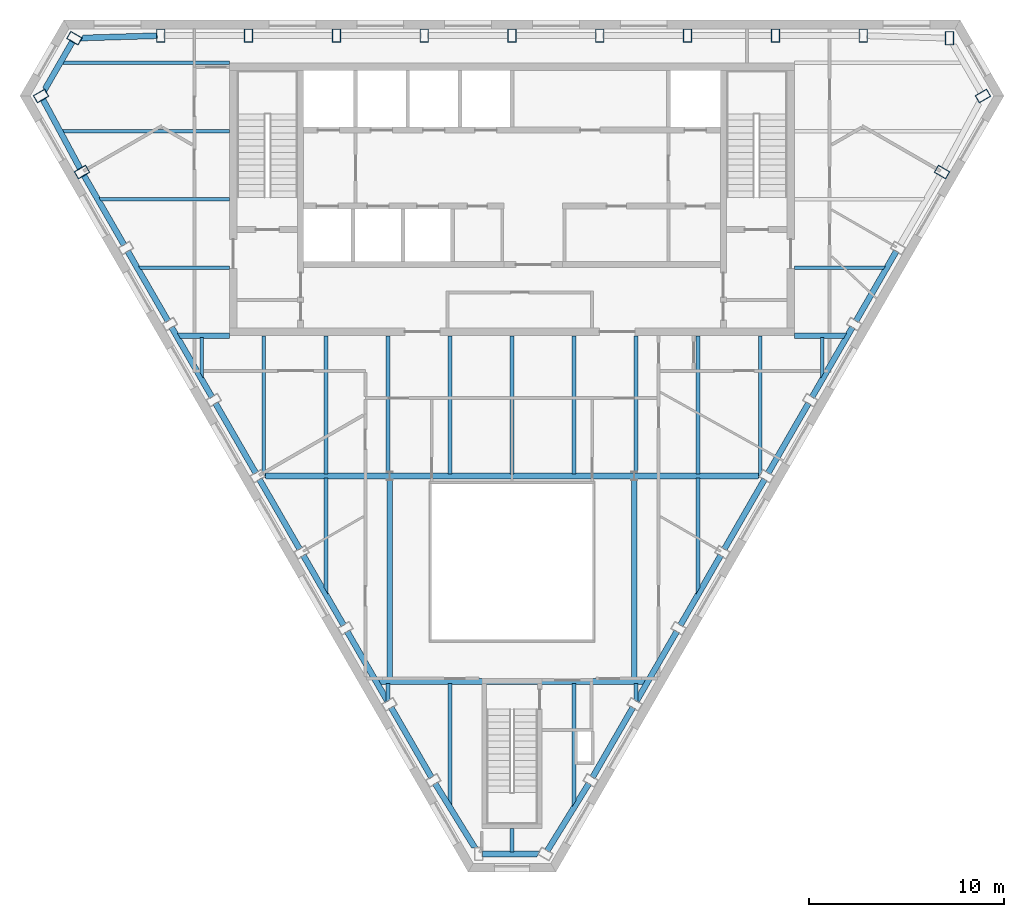
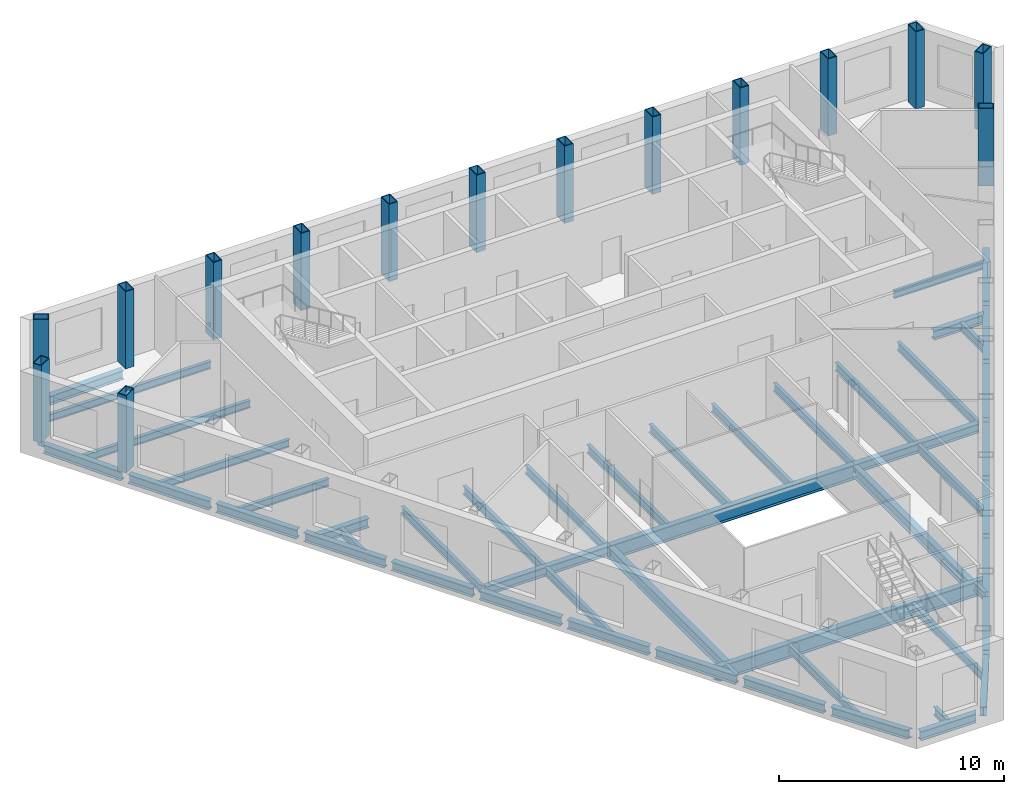
# One storey, part 2 of 11: 52 beams, 15 columns.
"""IFC4 building model written with IfcOpenShell, lengths in metres."""

import ifcopenshell
import ifcopenshell.guid

model = None  # the IFC model being written
_history = None  # IfcOwnerHistory: only IFC2X3 demands one
_inside = {}  # id of a spatial element -> (the spatial element, [elements in it])
_under = {}  # id of a project, library or spatial element -> (it, [spatial elements below it])
_declared = {}  # id of a project -> (the project, [libraries it declares])
_typed = {}  # id of a type object -> (the type object, [elements of that type])
_made_of = {}  # id of a material, layer set ... -> (it, [elements and type objects made of it])


def new_model(schema):
    """Start an empty IFC model of exactly this schema.

    Asked for "IFC4X3", IfcOpenShell would pick the latest addendum, in which some entities
    have other attributes; the version numbers below select the first issue.
    IFC2X3 requires an IfcOwnerHistory on every rooted entity: one is made here for all.
    """
    global model, _history
    if schema == "IFC4X3":
        model = ifcopenshell.file(schema_version=(4, 3, 0, 0))
    else:
        model = ifcopenshell.file(schema=schema)
    _inside.clear()
    _under.clear()
    _declared.clear()
    _typed.clear()
    _made_of.clear()
    _history = None
    if model.schema == "IFC2X3":
        org = make("IfcOrganization", Name="unknown")
        user = make(
            "IfcPersonAndOrganization",
            ThePerson=make("IfcPerson", FamilyName="unknown"),
            TheOrganization=org,
        )
        app = make(
            "IfcApplication",
            ApplicationDeveloper=org,
            Version="unknown",
            ApplicationFullName="unknown",
            ApplicationIdentifier="unknown",
        )
        _history = make(
            "IfcOwnerHistory",
            OwningUser=user,
            OwningApplication=app,
            ChangeAction="ADDED",
            CreationDate=0,
        )
    return model


def make(cls, **values):
    """One entity of the class cls with the attributes given. An attribute that is None is left unset."""
    return model.create_entity(
        cls, **{name: value for name, value in values.items() if value is not None}
    )


def rooted(cls, **values):
    """An entity with a GlobalId (a new one), such as an element, a storey or a relation."""
    return make(cls, GlobalId=ifcopenshell.guid.new(), OwnerHistory=_history, **values)


def si_unit(unit_type, name, prefix=None):
    """IfcSIUnit, for example si_unit("LENGTHUNIT", "METRE", prefix="MILLI")."""
    return make("IfcSIUnit", UnitType=unit_type, Prefix=prefix, Name=name)


def assignment(units):
    """IfcUnitAssignment: the units of a project."""
    return None if units is None else make("IfcUnitAssignment", Units=units)


def point(xyz):
    """IfcCartesianPoint."""
    return None if xyz is None else make("IfcCartesianPoint", Coordinates=xyz)


def direction(xyz):
    """IfcDirection."""
    return None if xyz is None else make("IfcDirection", DirectionRatios=xyz)


def frame(location, z_axis=None, x_axis=None):
    """IfcAxis2Placement3D, a coordinate frame: its origin and axes. An axis left out is left unset."""
    return make(
        "IfcAxis2Placement3D",
        Location=point(location),
        Axis=direction(z_axis),
        RefDirection=direction(x_axis),
    )


def frame_2d(location, x_axis=None):
    """IfcAxis2Placement2D, a coordinate frame in the plane: its origin and x axis."""
    return make(
        "IfcAxis2Placement2D", Location=point(location), RefDirection=direction(x_axis)
    )


def origin():
    """The frame at (0, 0, 0) with its axes left unset."""
    return frame((0.0, 0.0, 0.0))


def origin_2d():
    """The frame at (0, 0) in the plane with its x axis left unset."""
    return frame_2d((0.0, 0.0))


def place(relative_to, where):
    """IfcLocalPlacement: puts the frame where relative to a parent placement (None: the world)."""
    return make(
        "IfcLocalPlacement", PlacementRelTo=relative_to, RelativePlacement=where
    )


def context(
    kind, dimensions, precision=None, world=None, true_north=None, identifier=None
):
    """IfcGeometricRepresentationContext, for example the 3D "Model" context."""
    return make(
        "IfcGeometricRepresentationContext",
        ContextIdentifier=identifier,
        ContextType=kind,
        CoordinateSpaceDimension=dimensions,
        Precision=precision,
        WorldCoordinateSystem=world,
        TrueNorth=true_north,
    )


def subcontext(parent, identifier, kind, view, scale=None):
    """IfcGeometricRepresentationSubContext, for example "Body" below "Model"."""
    return make(
        "IfcGeometricRepresentationSubContext",
        ContextIdentifier=identifier,
        ContextType=kind,
        ParentContext=parent,
        TargetScale=scale,
        TargetView=view,
    )


def project(units=None, contexts=None):
    """IfcProject with its units and contexts."""
    return rooted(
        "IfcProject",
        Name="project",
        RepresentationContexts=contexts,
        UnitsInContext=assignment(units),
    )


def spatial(cls, under=None, at=None, **own):
    """A site, building, storey or space (cls), placed at a placement, below another one or the project."""
    s = rooted(cls, ObjectPlacement=at, **own)
    if under is not None:
        _under.setdefault(under.id(), (under, []))[1].append(s)
    return s


def profile(cls, at=None, kind="AREA", **sizes):
    """A parametric profile (cls). Its sizes go by their IFC names, for example OverallWidth=200.0."""
    return make(cls, ProfileType=kind, Position=at, **sizes)


def hollow_rectangle(**sizes):
    """IfcRectangleHollowProfileDef."""
    return profile("IfcRectangleHollowProfileDef", **sizes)


def i_section(**sizes):
    """IfcIShapeProfileDef."""
    return profile("IfcIShapeProfileDef", **sizes)


def extrude(swept, where, along, depth):
    """IfcExtrudedAreaSolid: the profile swept, set in the frame where, extruded along a direction by depth."""
    return make(
        "IfcExtrudedAreaSolid",
        SweptArea=swept,
        Position=where,
        ExtrudedDirection=direction(along),
        Depth=depth,
    )


def clip(a, b, op="DIFFERENCE"):
    """IfcBooleanClippingResult: the solid a cut by the half space b."""
    return make(
        "IfcBooleanClippingResult", Operator=op, FirstOperand=a, SecondOperand=b
    )


def halfspace(plane, agree):
    """IfcHalfSpaceSolid: all space on one side of the plane z = 0 of the frame plane."""
    return make(
        "IfcHalfSpaceSolid",
        BaseSurface=make("IfcPlane", Position=plane),
        AgreementFlag=agree,
    )


def shape(context_of_items, identifier, shape_type, items):
    """IfcShapeRepresentation: the items that make up one representation, for example the "Body"."""
    return make(
        "IfcShapeRepresentation",
        ContextOfItems=context_of_items,
        RepresentationIdentifier=identifier,
        RepresentationType=shape_type,
        Items=items,
    )


def material(Name=None, Category=None):
    """IfcMaterial."""
    return make("IfcMaterial", Name=Name, Category=Category)


def material_profile(
    of_material, cross_section, Name=None, Category=None, Priority=None
):
    """IfcMaterialProfile: a cross section and its material."""
    return make(
        "IfcMaterialProfile",
        Name=Name,
        Material=of_material,
        Profile=cross_section,
        Priority=Priority,
        Category=Category,
    )


def profile_set(profiles, Name=None, composite=None):
    """IfcMaterialProfileSet."""
    return make(
        "IfcMaterialProfileSet",
        Name=Name,
        MaterialProfiles=profiles,
        CompositeProfile=composite,
    )


def made_of(thing, what):
    """Note that an element or type object is made of a material, layer set ...; save() writes the relation."""
    if what is not None:
        _made_of.setdefault(what.id(), (what, []))[1].append(thing)
    return thing


def type_object(cls, material=None, **own):
    """A type object (cls), such as IfcWallType, which elements share."""
    return made_of(rooted(cls, **own), material)


def element(
    cls,
    number,
    at=None,
    inside=None,
    cuts=None,
    type_object=None,
    material=None,
    context=None,
    identifier="Body",
    shape_type=None,
    held_by="IfcProductDefinitionShape",
    body=None,
    shapes=None,
    **own,
):
    """One element of the class cls, such as IfcWall. Its Tag is "e" and its number.

    at: its placement. inside: the storey or other place that contains it. cuts: it is an
    opening in that element (IfcRelVoidsElement). A single representation is given by context,
    identifier, shape_type and body (its items); several are given by shapes. held_by: the class
    of the entity that holds the representations. save() writes the other relations.
    """
    e = rooted(cls, Tag="e%d" % number, ObjectPlacement=at, **own)
    if body is not None:
        shapes = [shape(context, identifier, shape_type, body)]
    if shapes is not None:
        e.Representation = make(held_by, Representations=shapes)
    if inside is not None:
        _inside.setdefault(inside.id(), (inside, []))[1].append(e)
    if cuts is not None:
        rooted(
            "IfcRelVoidsElement", RelatingBuildingElement=cuts, RelatedOpeningElement=e
        )
    if type_object is not None:
        _typed.setdefault(type_object.id(), (type_object, []))[1].append(e)
    return made_of(e, material)


def aggregate(whole, parts):
    """IfcRelAggregates: a whole, such as a stair, and the parts it consists of."""
    return rooted("IfcRelAggregates", RelatingObject=whole, RelatedObjects=parts)


def save(model, path):
    """Write the relations noted so far, then the file.

    IfcRelAggregates (storeys below a building ...), IfcRelContainedInSpatialStructure (elements
    in a storey), IfcRelDefinesByType, IfcRelAssociatesMaterial and IfcRelDeclares: one each for
    every whole, place, type object, material and project.
    """
    for whole, parts in _under.values():
        aggregate(whole, parts)
    for where, things in _inside.values():
        rooted(
            "IfcRelContainedInSpatialStructure",
            RelatedElements=things,
            RelatingStructure=where,
        )
    for kind, things in _typed.values():
        rooted("IfcRelDefinesByType", RelatedObjects=things, RelatingType=kind)
    for what, things in _made_of.values():
        rooted("IfcRelAssociatesMaterial", RelatedObjects=things, RelatingMaterial=what)
    for by, libraries in _declared.values():
        rooted("IfcRelDeclares", RelatingContext=by, RelatedDefinitions=libraries)
    model.write(path)


model = new_model("IFC4")

# Units and contexts
model_context = context("Model", 3, precision=1e-05, world=origin(), true_north=direction((0.0, 1.0)))
body_context = subcontext(model_context, "Body", "Model", "MODEL_VIEW")
ifc_project = project(units=[si_unit("LENGTHUNIT", "METRE"), si_unit("AREAUNIT", "SQUARE_METRE"), si_unit("VOLUMEUNIT", "CUBIC_METRE"), si_unit("PLANEANGLEUNIT", "RADIAN"), si_unit("MASSUNIT", "GRAM", prefix="KILO")], contexts=[model_context])

# Site, building, storey
site_placement = place(None, origin())
site = spatial("IfcSite", under=ifc_project, at=site_placement, CompositionType="ELEMENT")
building_placement = place(site_placement, origin())
building = spatial("IfcBuilding", under=site, at=building_placement, Name="Njiva Tower", CompositionType="ELEMENT")
storey_placement = place(building_placement, frame((0.0, 0.0, 316.8)))
storey = spatial("IfcBuildingStorey", under=building, at=storey_placement, Name="L72", CompositionType="ELEMENT", Elevation=316.8)

# Columns
ifc_material = material(Name="Steel S355 J2", Category="steel")
ifc_material_profile_1 = material_profile(ifc_material, hollow_rectangle(XDim=0.45, YDim=0.7, WallThickness=0.04, at=origin_2d()), Name="BOX 700x450x40")
ifc_profile_set_1 = profile_set([ifc_material_profile_1], Name="Steel S355 J2")
column_type = type_object("IfcColumnType", Name="C15 Perimeter tube column BOX 700x450x40", PredefinedType="COLUMN", material=ifc_profile_set_1)
for number, where, z_axis, x_axis, name in (
    (1, (22.456, 19.267, 0.0), (0.0, 0.0, 1.0), (-1.0, 0.0, 0.0), "Perimeter tube column S24-C01"),
    (2, (18.026, 19.4, 0.0), (0.0, 0.0, 1.0), (-1.0, 0.0, 0.0), "Perimeter tube column S24-C02"),
    (3, (13.52, 19.4, 0.0), (0.0, 0.0, 1.0), (-1.0, 0.0, 0.0), "Perimeter tube column S24-C03"),
    (4, (9.013, 19.4, 0.0), (0.0, 0.0, 1.0), (-1.0, 0.0, 0.0), "Perimeter tube column S24-C04"),
    (5, (4.507, 19.4, 0.0), (0.0, 0.0, 1.0), (-1.0, 0.0, 0.0), "Perimeter tube column S24-C05"),
    (6, (0.0, 19.4, 0.0), (0.0, 0.0, 1.0), (-1.0, 0.0, 0.0), "Perimeter tube column S24-C06"),
    (7, (-4.507, 19.4, 0.0), (0.0, 0.0, 1.0), (-1.0, 0.0, 0.0), "Perimeter tube column S24-C07"),
    (8, (-9.013, 19.4, 0.0), (0.0, 0.0, 1.0), (-1.0, 0.0, 0.0), "Perimeter tube column S24-C08"),
    (9, (-13.52, 19.4, 0.0), (0.0, 0.0, 1.0), (-1.0, 0.0, 0.0), "Perimeter tube column S24-C09"),
    (10, (-18.026, 19.4, 0.0), (0.0, 0.0, 1.0), (-1.0, 0.0, 0.0), "Perimeter tube column S24-C10"),
    (11, (-22.456, 19.267, 0.0), (0.0, 0.0, 1.0), (-0.5, -0.866025403784, 0.0), "Perimeter tube column S24-C11"),
    (12, (-24.168, 16.303, 0.0), (0.0, 0.0, 1.0), (0.5, -0.866025403784, 0.0), "Perimeter tube column S24-C12"),
    (13, (-22.068, 12.4, 0.0), (0.0, 0.0, 1.0), (0.5, -0.866025403784, 0.0), "Perimeter tube column S24-C13"),
    (14, (22.068, 12.4, 0.0), (0.0, 0.0, 1.0), (0.5, 0.866025403784, 0.0), "Perimeter tube column S24-C32"),
    (15, (24.168, 16.303, 0.0), (0.0, 0.0, 1.0), (-0.5, 0.866025403784, 0.0), "Perimeter tube column S24-C33"),
):
    element("IfcColumn", number, at=place(storey_placement, frame(where, z_axis=z_axis, x_axis=x_axis)), inside=storey, type_object=column_type, Name=name, PredefinedType="COLUMN", context=body_context, shape_type="SweptSolid", body=[
        extrude(hollow_rectangle(XDim=0.45, YDim=0.7, WallThickness=0.04, at=origin_2d()), origin(), (0.0, 0.0, 1.0), 4.2),
    ])

# Beams
ifc_material_profile_2 = material_profile(ifc_material, i_section(OverallWidth=0.3, OverallDepth=0.59, WebThickness=0.013, FlangeThickness=0.025, at=origin_2d()), Name="HEA 600")
ifc_profile_set_2 = profile_set([ifc_material_profile_2], Name="Steel S355 J2")
beam_type_1 = type_object("IfcBeamType", Name="B30 Long-span atrium trimmer beam HEA 600", PredefinedType="BEAM", material=ifc_profile_set_2)
for number, where, z_axis, x_axis, name in (
    (16, (6.27, -13.65, -0.495), (0.0, 1.0, 0.0), (-1.0, 0.0, 0.0), "Long-span atrium trimmer beam S24-B063"),
    (17, (-6.27, -3.375, -0.495), (0.0, -1.0, 0.0), (1.0, 0.0, 0.0), "Long-span atrium trimmer beam S24-B060"),
):
    element("IfcBeam", number, at=place(storey_placement, frame(where, z_axis=z_axis, x_axis=x_axis)), inside=storey, type_object=beam_type_1, Name=name, PredefinedType="BEAM", context=body_context, shape_type="SweptSolid", body=[
        extrude(i_section(OverallWidth=0.3, OverallDepth=0.59, WebThickness=0.013, FlangeThickness=0.025, at=origin_2d()), origin(), (0.0, 0.0, 1.0), 10.275),
    ])
ifc_material_profile_3 = material_profile(ifc_material, i_section(OverallWidth=0.3, OverallDepth=0.49, WebThickness=0.012, FlangeThickness=0.023, at=origin_2d()), Name="HEA 500")
ifc_profile_set_3 = profile_set([ifc_material_profile_3], Name="Steel S355 J2")
beam_type_2 = type_object("IfcBeamType", Name="B48 Short-span spandrel beam HEA 500", PredefinedType="SPANDREL", material=ifc_profile_set_3)
beam_1_placement = place(storey_placement, frame((-18.205, 19.395, -0.445), z_axis=(-0.999542354349, -0.030250320034, 0.0), x_axis=(0.030250320034, -0.999542354349, 0.0)))
element("IfcBeam", 18, at=beam_1_placement, inside=storey, type_object=beam_type_2, Name="Short-span spandrel beam S24-B069", PredefinedType="SPANDREL", context=body_context, shape_type="Clipping", body=[
    clip(extrude(i_section(OverallWidth=0.3, OverallDepth=0.49, WebThickness=0.012, FlangeThickness=0.023, at=origin_2d()), origin(), (0.0, 0.0, 1.0), 4.0138), halfspace(frame((-0.0268, 0.0, 3.8841), z_axis=(-0.525966768254, 0.0, 0.850505119734), x_axis=(0.0, 1.0, 0.0)), False)),
])
beam_2_placement = place(storey_placement, frame((-22.544, 19.116, -0.445), z_axis=(-0.500030697692, -0.866007679738, 0.0), x_axis=(0.866007679738, -0.500030697692, 0.0)))
element("IfcBeam", 19, at=beam_2_placement, inside=storey, type_object=beam_type_2, Name="Short-span spandrel beam S24-B068", PredefinedType="SPANDREL", context=body_context, shape_type="Clipping", body=[
    clip(extrude(i_section(OverallWidth=0.3, OverallDepth=0.49, WebThickness=0.012, FlangeThickness=0.023, at=origin_2d()), origin(), (0.0, 0.0, 1.0), 3.0088), halfspace(frame((-0.0244, 0.0, 2.8876), z_axis=(-0.499971291931, 0.0, 0.866041977761), x_axis=(0.0, 1.0, 0.0)), False)),
])
beam_3_placement = place(storey_placement, frame((-24.083, 16.146, -0.445), z_axis=(0.473719218081, -0.880675934962, 0.0), x_axis=(0.880675934962, 0.473719218081, 0.0)))
element("IfcBeam", 20, at=beam_3_placement, inside=storey, type_object=beam_type_2, Name="Short-span spandrel beam S24-B066", PredefinedType="SPANDREL", context=body_context, shape_type="SweptSolid", body=[
    extrude(i_section(OverallWidth=0.3, OverallDepth=0.49, WebThickness=0.012, FlangeThickness=0.023, at=origin_2d()), origin(), (0.0, 0.0, 1.0), 4.0741),
])
beam_4_placement = place(storey_placement, frame((-21.98, 12.249, -0.445), z_axis=(0.499916824138, -0.866073420066, 0.0), x_axis=(0.866073420066, 0.499916824138, 0.0)))
element("IfcBeam", 21, at=beam_4_placement, inside=storey, type_object=beam_type_2, Name="Short-span spandrel beam S24-B070", PredefinedType="SPANDREL", context=body_context, shape_type="SweptSolid", body=[
    extrude(i_section(OverallWidth=0.3, OverallDepth=0.49, WebThickness=0.012, FlangeThickness=0.023, at=origin_2d()), origin(), (0.0, 0.0, 1.0), 4.1567),
])
beam_5_placement = place(storey_placement, frame((-19.727, 8.346, -0.445), z_axis=(0.499812681335, -0.866133525259, 0.0), x_axis=(0.866133525259, 0.499812681335, 0.0)))
element("IfcBeam", 22, at=beam_5_placement, inside=storey, type_object=beam_type_2, Name="Short-span spandrel beam S24-B072", PredefinedType="SPANDREL", context=body_context, shape_type="SweptSolid", body=[
    extrude(i_section(OverallWidth=0.3, OverallDepth=0.49, WebThickness=0.012, FlangeThickness=0.023, at=origin_2d()), origin(), (0.0, 0.0, 1.0), 4.1576),
])
beam_6_placement = place(storey_placement, frame((-17.474, 4.442, -0.445), z_axis=(0.500201435056, -0.865909073961, 0.0), x_axis=(0.865909073961, 0.500201435056, 0.0)))
element("IfcBeam", 23, at=beam_6_placement, inside=storey, type_object=beam_type_2, Name="Short-span spandrel beam S24-B075", PredefinedType="SPANDREL", context=body_context, shape_type="SweptSolid", body=[
    extrude(i_section(OverallWidth=0.3, OverallDepth=0.49, WebThickness=0.012, FlangeThickness=0.023, at=origin_2d()), origin(), (0.0, 0.0, 1.0), 4.1563),
])
beam_7_placement = place(storey_placement, frame((-15.22, 0.54, -0.445), z_axis=(0.500021003115, -0.866013277291, 0.0), x_axis=(0.866013277291, 0.500021003115, 0.0)))
element("IfcBeam", 24, at=beam_7_placement, inside=storey, type_object=beam_type_2, Name="Short-span spandrel beam S24-B077", PredefinedType="SPANDREL", context=body_context, shape_type="SweptSolid", body=[
    extrude(i_section(OverallWidth=0.3, OverallDepth=0.49, WebThickness=0.012, FlangeThickness=0.023, at=origin_2d()), origin(), (0.0, 0.0, 1.0), 4.1558),
])
beam_8_placement = place(storey_placement, frame((-12.967, -3.362, -0.445), z_axis=(0.499812681335, -0.866133525259, 0.0), x_axis=(0.866133525259, 0.499812681335, 0.0)))
element("IfcBeam", 25, at=beam_8_placement, inside=storey, type_object=beam_type_2, Name="Short-span spandrel beam S24-B080", PredefinedType="SPANDREL", context=body_context, shape_type="SweptSolid", body=[
    extrude(i_section(OverallWidth=0.3, OverallDepth=0.49, WebThickness=0.012, FlangeThickness=0.023, at=origin_2d()), origin(), (0.0, 0.0, 1.0), 4.1576),
])
beam_9_placement = place(storey_placement, frame((-10.714, -7.266, -0.445), z_axis=(0.499916824138, -0.866073420066, 0.0), x_axis=(0.866073420066, 0.499916824138, 0.0)))
element("IfcBeam", 26, at=beam_9_placement, inside=storey, type_object=beam_type_2, Name="Short-span spandrel beam S24-B082", PredefinedType="SPANDREL", context=body_context, shape_type="SweptSolid", body=[
    extrude(i_section(OverallWidth=0.3, OverallDepth=0.49, WebThickness=0.012, FlangeThickness=0.023, at=origin_2d()), origin(), (0.0, 0.0, 1.0), 4.1567),
])
beam_10_placement = place(storey_placement, frame((-8.461, -11.169, -0.445), z_axis=(0.500201435056, -0.865909073961, 0.0), x_axis=(0.865909073961, 0.500201435056, 0.0)))
element("IfcBeam", 27, at=beam_10_placement, inside=storey, type_object=beam_type_2, Name="Short-span spandrel beam S24-B085", PredefinedType="SPANDREL", context=body_context, shape_type="SweptSolid", body=[
    extrude(i_section(OverallWidth=0.3, OverallDepth=0.49, WebThickness=0.012, FlangeThickness=0.023, at=origin_2d()), origin(), (0.0, 0.0, 1.0), 4.1563),
])
beam_11_placement = place(storey_placement, frame((-6.207, -15.071, -0.445), z_axis=(0.499812681335, -0.866133525259, 0.0), x_axis=(0.866133525259, 0.499812681335, 0.0)))
element("IfcBeam", 28, at=beam_11_placement, inside=storey, type_object=beam_type_2, Name="Short-span spandrel beam S24-B087", PredefinedType="SPANDREL", context=body_context, shape_type="SweptSolid", body=[
    extrude(i_section(OverallWidth=0.3, OverallDepth=0.49, WebThickness=0.012, FlangeThickness=0.023, at=origin_2d()), origin(), (0.0, 0.0, 1.0), 4.1576),
])
beam_12_placement = place(storey_placement, frame((-3.947, -18.975, -0.445), z_axis=(0.525798490692, -0.850609162416, 0.0), x_axis=(0.850609162416, 0.525798490692, 0.0)))
element("IfcBeam", 29, at=beam_12_placement, inside=storey, type_object=beam_type_2, Name="Short-span spandrel beam S24-B090", PredefinedType="SPANDREL", context=body_context, shape_type="Clipping", body=[
    clip(extrude(i_section(OverallWidth=0.3, OverallDepth=0.49, WebThickness=0.012, FlangeThickness=0.023, at=origin_2d()), origin(), (0.0, 0.0, 1.0), 4.0137), halfspace(frame((-0.0266, 0.0, 3.8843), z_axis=(-0.525798490692, 0.0, 0.850609162416), x_axis=(0.0, 1.0, 0.0)), False)),
])
beam_13_placement = place(storey_placement, frame((-1.536, -22.593, -0.445), z_axis=(1.0, 0.0, 0.0), x_axis=(0.0, 1.0, 0.0)))
element("IfcBeam", 30, at=beam_13_placement, inside=storey, type_object=beam_type_2, Name="Short-span spandrel beam S24-B093", PredefinedType="SPANDREL", context=body_context, shape_type="Clipping", body=[
    clip(extrude(i_section(OverallWidth=0.3, OverallDepth=0.49, WebThickness=0.012, FlangeThickness=0.023, at=origin_2d()), origin(), (0.0, 0.0, 1.0), 3.008), halfspace(frame((-0.0245, 0.0, 2.8864), z_axis=(-0.499998009787, 0.0, 0.866026552831), x_axis=(0.0, 1.0, 0.0)), False)),
])
beam_14_placement = place(storey_placement, frame((1.805, -22.441, -0.445), z_axis=(0.525712321525, 0.850662421291, 0.0), x_axis=(-0.850662421291, 0.525712321525, 0.0)))
element("IfcBeam", 31, at=beam_14_placement, inside=storey, type_object=beam_type_2, Name="Short-span spandrel beam S24-B096", PredefinedType="SPANDREL", context=body_context, shape_type="SweptSolid", body=[
    extrude(i_section(OverallWidth=0.3, OverallDepth=0.49, WebThickness=0.012, FlangeThickness=0.023, at=origin_2d()), origin(), (0.0, 0.0, 1.0), 4.0745),
])
beam_15_placement = place(storey_placement, frame((4.129, -18.672, -0.445), z_axis=(0.499812681335, 0.866133525259, 0.0), x_axis=(-0.866133525259, 0.499812681335, 0.0)))
element("IfcBeam", 32, at=beam_15_placement, inside=storey, type_object=beam_type_2, Name="Short-span spandrel beam S24-B098", PredefinedType="SPANDREL", context=body_context, shape_type="SweptSolid", body=[
    extrude(i_section(OverallWidth=0.3, OverallDepth=0.49, WebThickness=0.012, FlangeThickness=0.023, at=origin_2d()), origin(), (0.0, 0.0, 1.0), 4.1576),
])
beam_16_placement = place(storey_placement, frame((6.382, -14.768, -0.445), z_axis=(0.500201435056, 0.865909073961, 0.0), x_axis=(-0.865909073961, 0.500201435056, 0.0)))
element("IfcBeam", 33, at=beam_16_placement, inside=storey, type_object=beam_type_2, Name="Short-span spandrel beam S24-B101", PredefinedType="SPANDREL", context=body_context, shape_type="SweptSolid", body=[
    extrude(i_section(OverallWidth=0.3, OverallDepth=0.49, WebThickness=0.012, FlangeThickness=0.023, at=origin_2d()), origin(), (0.0, 0.0, 1.0), 4.1563),
])
beam_17_placement = place(storey_placement, frame((8.636, -10.866, -0.445), z_axis=(0.499916824138, 0.866073420066, 0.0), x_axis=(-0.866073420066, 0.499916824138, 0.0)))
element("IfcBeam", 34, at=beam_17_placement, inside=storey, type_object=beam_type_2, Name="Short-span spandrel beam S24-B103", PredefinedType="SPANDREL", context=body_context, shape_type="SweptSolid", body=[
    extrude(i_section(OverallWidth=0.3, OverallDepth=0.49, WebThickness=0.012, FlangeThickness=0.023, at=origin_2d()), origin(), (0.0, 0.0, 1.0), 4.1567),
])
beam_18_placement = place(storey_placement, frame((10.889, -6.963, -0.445), z_axis=(0.499812681335, 0.866133525259, 0.0), x_axis=(-0.866133525259, 0.499812681335, 0.0)))
element("IfcBeam", 35, at=beam_18_placement, inside=storey, type_object=beam_type_2, Name="Short-span spandrel beam S24-B106", PredefinedType="SPANDREL", context=body_context, shape_type="SweptSolid", body=[
    extrude(i_section(OverallWidth=0.3, OverallDepth=0.49, WebThickness=0.012, FlangeThickness=0.023, at=origin_2d()), origin(), (0.0, 0.0, 1.0), 4.1576),
])
beam_19_placement = place(storey_placement, frame((13.142, -3.059, -0.445), z_axis=(0.500021003115, 0.866013277291, 0.0), x_axis=(-0.866013277291, 0.500021003115, 0.0)))
element("IfcBeam", 36, at=beam_19_placement, inside=storey, type_object=beam_type_2, Name="Short-span spandrel beam S24-B108", PredefinedType="SPANDREL", context=body_context, shape_type="SweptSolid", body=[
    extrude(i_section(OverallWidth=0.3, OverallDepth=0.49, WebThickness=0.012, FlangeThickness=0.023, at=origin_2d()), origin(), (0.0, 0.0, 1.0), 4.1558),
])
beam_20_placement = place(storey_placement, frame((15.395, 0.843, -0.445), z_axis=(0.500201435056, 0.865909073961, 0.0), x_axis=(-0.865909073961, 0.500201435056, 0.0)))
element("IfcBeam", 37, at=beam_20_placement, inside=storey, type_object=beam_type_2, Name="Short-span spandrel beam S24-B111", PredefinedType="SPANDREL", context=body_context, shape_type="SweptSolid", body=[
    extrude(i_section(OverallWidth=0.3, OverallDepth=0.49, WebThickness=0.012, FlangeThickness=0.023, at=origin_2d()), origin(), (0.0, 0.0, 1.0), 4.1563),
])
beam_21_placement = place(storey_placement, frame((17.649, 4.745, -0.445), z_axis=(0.499812681335, 0.866133525259, 0.0), x_axis=(-0.866133525259, 0.499812681335, 0.0)))
element("IfcBeam", 38, at=beam_21_placement, inside=storey, type_object=beam_type_2, Name="Short-span spandrel beam S24-B113", PredefinedType="SPANDREL", context=body_context, shape_type="SweptSolid", body=[
    extrude(i_section(OverallWidth=0.3, OverallDepth=0.49, WebThickness=0.012, FlangeThickness=0.023, at=origin_2d()), origin(), (0.0, 0.0, 1.0), 4.1576),
])
ifc_material_profile_4 = material_profile(ifc_material, i_section(OverallWidth=0.3, OverallDepth=0.49, WebThickness=0.012, FlangeThickness=0.023, at=origin_2d()), Name="HEA 500")
ifc_profile_set_4 = profile_set([ifc_material_profile_4], Name="Steel S355 J2")
beam_type_3 = type_object("IfcBeamType", Name="B49 Floor girder HEA 500", PredefinedType="BEAM", material=ifc_profile_set_4)
beam_22_placement = place(storey_placement, frame((-12.822, -3.2, -0.445), z_axis=(1.0, 0.0, 0.0), x_axis=(0.0, 1.0, 0.0)))
element("IfcBeam", 39, at=beam_22_placement, inside=storey, type_object=beam_type_3, Name="Floor girder S24-B011", PredefinedType="BEAM", context=body_context, shape_type="Clipping", body=[
    clip(extrude(i_section(OverallWidth=0.3, OverallDepth=0.49, WebThickness=0.012, FlangeThickness=0.023, at=origin_2d()), origin(), (0.0, 0.0, 1.0), 6.552), halfspace(frame((-0.025, 0.0, 0.1215), z_axis=(-0.499998009787, 0.0, -0.866026552831), x_axis=(0.0, -1.0, 0.0)), False)),
])
beam_23_placement = place(storey_placement, frame((6.27, -3.2, -0.445), z_axis=(1.0, 0.0, 0.0), x_axis=(0.0, 1.0, 0.0)))
element("IfcBeam", 40, at=beam_23_placement, inside=storey, type_object=beam_type_3, Name="Floor girder S24-B012", PredefinedType="BEAM", context=body_context, shape_type="Clipping", body=[
    clip(extrude(i_section(OverallWidth=0.3, OverallDepth=0.49, WebThickness=0.012, FlangeThickness=0.023, at=origin_2d()), origin(), (0.0, 0.0, 1.0), 6.552), halfspace(frame((-0.025, 0.0, 6.4305), z_axis=(-0.499998009787, 0.0, 0.866026552831), x_axis=(0.0, 1.0, 0.0)), False)),
])
ifc_material_profile_5 = material_profile(ifc_material, i_section(OverallWidth=0.3, OverallDepth=0.49, WebThickness=0.012, FlangeThickness=0.023, at=origin_2d()), Name="HEA 500")
ifc_profile_set_5 = profile_set([ifc_material_profile_5], Name="Steel S355 J2")
beam_type_4 = type_object("IfcBeamType", Name="B50 Short-span floor girder HEA 500", PredefinedType="BEAM", material=ifc_profile_set_5)
beam_24_placement = place(storey_placement, frame((-17.21, 4.0, -0.445), z_axis=(1.0, 0.0, 0.0), x_axis=(0.0, 1.0, 0.0)))
element("IfcBeam", 41, at=beam_24_placement, inside=storey, type_object=beam_type_4, Name="Short-span floor girder S24-B009", PredefinedType="BEAM", context=body_context, shape_type="Clipping", body=[
    clip(extrude(i_section(OverallWidth=0.3, OverallDepth=0.49, WebThickness=0.012, FlangeThickness=0.023, at=origin_2d()), origin(), (0.0, 0.0, 1.0), 2.71), halfspace(frame((-0.025, 0.0, 0.1217), z_axis=(-0.499998009787, 0.0, -0.866026552831), x_axis=(0.0, -1.0, 0.0)), False)),
])
beam_25_placement = place(storey_placement, frame((14.5, 4.0, -0.445), z_axis=(1.0, 0.0, 0.0), x_axis=(0.0, 1.0, 0.0)))
element("IfcBeam", 42, at=beam_25_placement, inside=storey, type_object=beam_type_4, Name="Short-span floor girder S24-B014", PredefinedType="BEAM", context=body_context, shape_type="Clipping", body=[
    clip(extrude(i_section(OverallWidth=0.3, OverallDepth=0.49, WebThickness=0.012, FlangeThickness=0.023, at=origin_2d()), origin(), (0.0, 0.0, 1.0), 2.71), halfspace(frame((-0.025, 0.0, 2.5883), z_axis=(-0.499998009787, 0.0, 0.866026552831), x_axis=(0.0, 1.0, 0.0)), False)),
])
ifc_material_profile_6 = material_profile(ifc_material, i_section(OverallWidth=0.18, OverallDepth=0.4, WebThickness=0.0086, FlangeThickness=0.0135, at=origin_2d()), Name="IPE 400")
ifc_profile_set_6 = profile_set([ifc_material_profile_6], Name="Steel S355 J2")
beam_type_5 = type_object("IfcBeamType", Name="B51 Floor beam to the core IPE 400", PredefinedType="BEAM", material=ifc_profile_set_6)
beam_26_placement = place(storey_placement, frame((-19.195, 7.5, -0.4), z_axis=(1.0, 0.0, 0.0), x_axis=(0.0, 1.0, 0.0)))
element("IfcBeam", 43, at=beam_26_placement, inside=storey, type_object=beam_type_5, Name="Floor beam to the core S24-B004", PredefinedType="BEAM", context=body_context, shape_type="Clipping", body=[
    clip(extrude(i_section(OverallWidth=0.18, OverallDepth=0.4, WebThickness=0.0086, FlangeThickness=0.0135, at=origin_2d()), origin(), (0.0, 0.0, 1.0), 4.695), halfspace(frame((-0.025, 0.0, 0.086), z_axis=(-0.499998009787, 0.0, -0.866026552831), x_axis=(0.0, -1.0, 0.0)), False)),
])
beam_27_placement = place(storey_placement, frame((14.5, 7.5, -0.4), z_axis=(1.0, 0.0, 0.0), x_axis=(0.0, 1.0, 0.0)))
element("IfcBeam", 44, at=beam_27_placement, inside=storey, type_object=beam_type_5, Name="Floor beam to the core S24-B005", PredefinedType="BEAM", context=body_context, shape_type="Clipping", body=[
    clip(extrude(i_section(OverallWidth=0.18, OverallDepth=0.4, WebThickness=0.0086, FlangeThickness=0.0135, at=origin_2d()), origin(), (0.0, 0.0, 1.0), 4.695), halfspace(frame((-0.025, 0.0, 4.609), z_axis=(-0.499998009787, 0.0, 0.866026552831), x_axis=(0.0, 1.0, 0.0)), False)),
])
beam_28_placement = place(storey_placement, frame((-21.216, 11.0, -0.4), z_axis=(1.0, 0.0, 0.0), x_axis=(0.0, 1.0, 0.0)))
element("IfcBeam", 45, at=beam_28_placement, inside=storey, type_object=beam_type_5, Name="Floor beam to the core S24-B003", PredefinedType="BEAM", context=body_context, shape_type="Clipping", body=[
    clip(extrude(i_section(OverallWidth=0.18, OverallDepth=0.4, WebThickness=0.0086, FlangeThickness=0.0135, at=origin_2d()), origin(), (0.0, 0.0, 1.0), 6.716), halfspace(frame((-0.025, 0.0, 0.0863), z_axis=(-0.499998009787, 0.0, -0.866026552831), x_axis=(0.0, -1.0, 0.0)), False)),
])
beam_29_placement = place(storey_placement, frame((-23.152, 14.5, -0.4), z_axis=(1.0, 0.0, 0.0), x_axis=(0.0, 1.0, 0.0)))
element("IfcBeam", 46, at=beam_29_placement, inside=storey, type_object=beam_type_5, Name="Floor beam to the core S24-B001", PredefinedType="BEAM", context=body_context, shape_type="Clipping", body=[
    clip(extrude(i_section(OverallWidth=0.18, OverallDepth=0.4, WebThickness=0.0086, FlangeThickness=0.0135, at=origin_2d()), origin(), (0.0, 0.0, 1.0), 8.652), halfspace(frame((-0.0237, 0.0, 0.0807), z_axis=(-0.47376166762, 0.0, -0.88065309986), x_axis=(0.0, -1.0, 0.0)), False)),
])
beam_30_placement = place(storey_placement, frame((-23.144, 18.0, -0.4), z_axis=(1.0, 0.0, 0.0), x_axis=(0.0, 1.0, 0.0)))
element("IfcBeam", 47, at=beam_30_placement, inside=storey, type_object=beam_type_5, Name="Floor beam to the core S24-B002", PredefinedType="BEAM", context=body_context, shape_type="Clipping", body=[
    clip(extrude(i_section(OverallWidth=0.18, OverallDepth=0.4, WebThickness=0.0086, FlangeThickness=0.0135, at=origin_2d()), origin(), (0.0, 0.0, 1.0), 8.644), halfspace(frame((0.025, 0.0, 0.0862), z_axis=(0.499998009787, 0.0, -0.866026552831), x_axis=(0.0, -1.0, 0.0)), False)),
])
ifc_material_profile_7 = material_profile(ifc_material, i_section(OverallWidth=0.19, OverallDepth=0.45, WebThickness=0.0094, FlangeThickness=0.0146, at=origin_2d()), Name="IPE 450")
ifc_profile_set_7 = profile_set([ifc_material_profile_7], Name="Steel S355 J2")
beam_type_6 = type_object("IfcBeamType", Name="B52 Short-span floor joist IPE 450", PredefinedType="JOIST", material=ifc_profile_set_7)
beam_31_placement = place(storey_placement, frame((-15.917, 3.9, -0.425), z_axis=(0.0, -1.0, 0.0), x_axis=(1.0, 0.0, 0.0)))
element("IfcBeam", 48, at=beam_31_placement, inside=storey, type_object=beam_type_6, Name="Short-span floor joist S24-B039", PredefinedType="JOIST", context=body_context, shape_type="Clipping", body=[
    clip(extrude(i_section(OverallWidth=0.19, OverallDepth=0.45, WebThickness=0.0094, FlangeThickness=0.0146, at=origin_2d()), origin(), (0.0, 0.0, 1.0), 2.139), halfspace(frame((-0.043, 0.0, 1.8793), z_axis=(-0.866026552831, 0.0, 0.499998009787), x_axis=(0.0, 1.0, 0.0)), False)),
])
beam_32_placement = place(storey_placement, frame((-6.367, -13.85, -0.425), z_axis=(0.0, -1.0, 0.0), x_axis=(1.0, 0.0, 0.0)))
element("IfcBeam", 49, at=beam_32_placement, inside=storey, type_object=beam_type_6, Name="Short-span floor joist S24-B044", PredefinedType="JOIST", context=body_context, shape_type="Clipping", body=[
    clip(extrude(i_section(OverallWidth=0.19, OverallDepth=0.45, WebThickness=0.0094, FlangeThickness=0.0146, at=origin_2d()), origin(), (0.0, 0.0, 1.0), 0.984), halfspace(frame((0.0253, 0.0, 0.8949), z_axis=(0.499998009787, 0.0, 0.866026552831), x_axis=(0.0, 1.0, 0.0)), False)),
])
beam_33_placement = place(storey_placement, frame((0.0, -21.3, -0.425), z_axis=(0.0, -1.0, 0.0), x_axis=(1.0, 0.0, 0.0)))
element("IfcBeam", 50, at=beam_33_placement, inside=storey, type_object=beam_type_6, Name="Short-span floor joist S24-B048", PredefinedType="JOIST", context=body_context, shape_type="SweptSolid", body=[
    extrude(i_section(OverallWidth=0.19, OverallDepth=0.45, WebThickness=0.0094, FlangeThickness=0.0146, at=origin_2d()), origin(), (0.0, 0.0, 1.0), 1.193),
])
beam_34_placement = place(storey_placement, frame((6.367, -13.85, -0.425), z_axis=(0.0, -1.0, 0.0), x_axis=(1.0, 0.0, 0.0)))
element("IfcBeam", 51, at=beam_34_placement, inside=storey, type_object=beam_type_6, Name="Short-span floor joist S24-B052", PredefinedType="JOIST", context=body_context, shape_type="Clipping", body=[
    clip(extrude(i_section(OverallWidth=0.19, OverallDepth=0.45, WebThickness=0.0094, FlangeThickness=0.0146, at=origin_2d()), origin(), (0.0, 0.0, 1.0), 0.984), halfspace(frame((-0.0253, 0.0, 0.8949), z_axis=(-0.499998009787, 0.0, 0.866026552831), x_axis=(0.0, 1.0, 0.0)), False)),
])
beam_35_placement = place(storey_placement, frame((15.917, 3.9, -0.425), z_axis=(0.0, -1.0, 0.0), x_axis=(1.0, 0.0, 0.0)))
element("IfcBeam", 52, at=beam_35_placement, inside=storey, type_object=beam_type_6, Name="Short-span floor joist S24-B058", PredefinedType="JOIST", context=body_context, shape_type="Clipping", body=[
    clip(extrude(i_section(OverallWidth=0.19, OverallDepth=0.45, WebThickness=0.0094, FlangeThickness=0.0146, at=origin_2d()), origin(), (0.0, 0.0, 1.0), 2.139), halfspace(frame((0.043, 0.0, 1.8793), z_axis=(0.866026552831, 0.0, 0.499998009787), x_axis=(0.0, 1.0, 0.0)), False)),
])
ifc_material_profile_8 = material_profile(ifc_material, i_section(OverallWidth=0.19, OverallDepth=0.45, WebThickness=0.0094, FlangeThickness=0.0146, at=origin_2d()), Name="IPE 450")
ifc_profile_set_8 = profile_set([ifc_material_profile_8], Name="Steel S355 J2")
beam_type_7 = type_object("IfcBeamType", Name="B53 Floor joist IPE 450", PredefinedType="JOIST", material=ifc_profile_set_8)
beam_36_placement = place(storey_placement, frame((-12.733, 3.995, -0.425), z_axis=(0.0, -1.0, 0.0), x_axis=(1.0, 0.0, 0.0)))
element("IfcBeam", 53, at=beam_36_placement, inside=storey, type_object=beam_type_7, Name="Floor joist S24-B040", PredefinedType="JOIST", context=body_context, shape_type="Clipping", body=[
    clip(extrude(i_section(OverallWidth=0.19, OverallDepth=0.45, WebThickness=0.0094, FlangeThickness=0.0146, at=origin_2d()), origin(), (0.0, 0.0, 1.0), 7.348), halfspace(frame((-0.0436, 0.0, 7.0881), z_axis=(-0.866026552831, 0.0, 0.499998009787), x_axis=(0.0, 1.0, 0.0)), False)),
])
beam_37_placement = place(storey_placement, frame((-9.55, 3.995, -0.425), z_axis=(0.0, -1.0, 0.0), x_axis=(1.0, 0.0, 0.0)))
element("IfcBeam", 54, at=beam_37_placement, inside=storey, type_object=beam_type_7, Name="Floor joist S24-B043", PredefinedType="JOIST", context=body_context, shape_type="SweptSolid", body=[
    extrude(i_section(OverallWidth=0.19, OverallDepth=0.45, WebThickness=0.0094, FlangeThickness=0.0146, at=origin_2d()), origin(), (0.0, 0.0, 1.0), 7.095),
])
beam_38_placement = place(storey_placement, frame((-9.55, -3.3, -0.425), z_axis=(0.0, -1.0, 0.0), x_axis=(1.0, 0.0, 0.0)))
element("IfcBeam", 55, at=beam_38_placement, inside=storey, type_object=beam_type_7, Name="Floor joist S24-B042", PredefinedType="JOIST", context=body_context, shape_type="Clipping", body=[
    clip(extrude(i_section(OverallWidth=0.19, OverallDepth=0.45, WebThickness=0.0094, FlangeThickness=0.0146, at=origin_2d()), origin(), (0.0, 0.0, 1.0), 5.967), halfspace(frame((-0.0433, 0.0, 5.7067), z_axis=(-0.866026552831, 0.0, 0.499998009787), x_axis=(0.0, 1.0, 0.0)), False)),
])
beam_39_placement = place(storey_placement, frame((-6.367, 3.995, -0.425), z_axis=(0.0, -1.0, 0.0), x_axis=(1.0, 0.0, 0.0)))
element("IfcBeam", 56, at=beam_39_placement, inside=storey, type_object=beam_type_7, Name="Floor joist S24-B045", PredefinedType="JOIST", context=body_context, shape_type="SweptSolid", body=[
    extrude(i_section(OverallWidth=0.19, OverallDepth=0.45, WebThickness=0.0094, FlangeThickness=0.0146, at=origin_2d()), origin(), (0.0, 0.0, 1.0), 7.02),
])
beam_40_placement = place(storey_placement, frame((-3.183, 3.995, -0.425), z_axis=(0.0, -1.0, 0.0), x_axis=(1.0, 0.0, 0.0)))
element("IfcBeam", 57, at=beam_40_placement, inside=storey, type_object=beam_type_7, Name="Floor joist S24-B047", PredefinedType="JOIST", context=body_context, shape_type="SweptSolid", body=[
    extrude(i_section(OverallWidth=0.19, OverallDepth=0.45, WebThickness=0.0094, FlangeThickness=0.0146, at=origin_2d()), origin(), (0.0, 0.0, 1.0), 7.095),
])
beam_41_placement = place(storey_placement, frame((-3.183, -13.85, -0.425), z_axis=(0.0, -1.0, 0.0), x_axis=(1.0, 0.0, 0.0)))
element("IfcBeam", 58, at=beam_41_placement, inside=storey, type_object=beam_type_7, Name="Floor joist S24-B046", PredefinedType="JOIST", context=body_context, shape_type="Clipping", body=[
    clip(extrude(i_section(OverallWidth=0.19, OverallDepth=0.45, WebThickness=0.0094, FlangeThickness=0.0146, at=origin_2d()), origin(), (0.0, 0.0, 1.0), 6.345), halfspace(frame((-0.0429, 0.0, 6.102), z_axis=(-0.850615955969, 0.0, 0.525787500281), x_axis=(0.0, 1.0, 0.0)), False)),
])
for number, where, z_axis, x_axis, name in (
    (59, (0.0, 3.995, -0.425), (0.0, -1.0, 0.0), (1.0, 0.0, 0.0), "Floor joist S24-B049"),
    (60, (3.183, 3.995, -0.425), (0.0, -1.0, 0.0), (1.0, 0.0, 0.0), "Floor joist S24-B051"),
):
    element("IfcBeam", number, at=place(storey_placement, frame(where, z_axis=z_axis, x_axis=x_axis)), inside=storey, type_object=beam_type_7, Name=name, PredefinedType="JOIST", context=body_context, shape_type="SweptSolid", body=[
        extrude(i_section(OverallWidth=0.19, OverallDepth=0.45, WebThickness=0.0094, FlangeThickness=0.0146, at=origin_2d()), origin(), (0.0, 0.0, 1.0), 7.095),
    ])
beam_42_placement = place(storey_placement, frame((3.183, -13.85, -0.425), z_axis=(0.0, -1.0, 0.0), x_axis=(1.0, 0.0, 0.0)))
element("IfcBeam", 61, at=beam_42_placement, inside=storey, type_object=beam_type_7, Name="Floor joist S24-B050", PredefinedType="JOIST", context=body_context, shape_type="Clipping", body=[
    clip(extrude(i_section(OverallWidth=0.19, OverallDepth=0.45, WebThickness=0.0094, FlangeThickness=0.0146, at=origin_2d()), origin(), (0.0, 0.0, 1.0), 6.345), halfspace(frame((0.0429, 0.0, 6.102), z_axis=(0.850615955969, 0.0, 0.525787500281), x_axis=(0.0, 1.0, 0.0)), False)),
])
beam_43_placement = place(storey_placement, frame((6.367, 3.995, -0.425), z_axis=(0.0, -1.0, 0.0), x_axis=(1.0, 0.0, 0.0)))
element("IfcBeam", 62, at=beam_43_placement, inside=storey, type_object=beam_type_7, Name="Floor joist S24-B053", PredefinedType="JOIST", context=body_context, shape_type="SweptSolid", body=[
    extrude(i_section(OverallWidth=0.19, OverallDepth=0.45, WebThickness=0.0094, FlangeThickness=0.0146, at=origin_2d()), origin(), (0.0, 0.0, 1.0), 7.02),
])
beam_44_placement = place(storey_placement, frame((9.55, 3.995, -0.425), z_axis=(0.0, -1.0, 0.0), x_axis=(1.0, 0.0, 0.0)))
element("IfcBeam", 63, at=beam_44_placement, inside=storey, type_object=beam_type_7, Name="Floor joist S24-B055", PredefinedType="JOIST", context=body_context, shape_type="SweptSolid", body=[
    extrude(i_section(OverallWidth=0.19, OverallDepth=0.45, WebThickness=0.0094, FlangeThickness=0.0146, at=origin_2d()), origin(), (0.0, 0.0, 1.0), 7.095),
])
beam_45_placement = place(storey_placement, frame((9.55, -3.3, -0.425), z_axis=(0.0, -1.0, 0.0), x_axis=(1.0, 0.0, 0.0)))
element("IfcBeam", 64, at=beam_45_placement, inside=storey, type_object=beam_type_7, Name="Floor joist S24-B054", PredefinedType="JOIST", context=body_context, shape_type="Clipping", body=[
    clip(extrude(i_section(OverallWidth=0.19, OverallDepth=0.45, WebThickness=0.0094, FlangeThickness=0.0146, at=origin_2d()), origin(), (0.0, 0.0, 1.0), 5.967), halfspace(frame((0.0433, 0.0, 5.7067), z_axis=(0.866026552831, 0.0, 0.499998009787), x_axis=(0.0, 1.0, 0.0)), False)),
])
beam_46_placement = place(storey_placement, frame((12.733, 3.995, -0.425), z_axis=(0.0, -1.0, 0.0), x_axis=(1.0, 0.0, 0.0)))
element("IfcBeam", 65, at=beam_46_placement, inside=storey, type_object=beam_type_7, Name="Floor joist S24-B056", PredefinedType="JOIST", context=body_context, shape_type="Clipping", body=[
    clip(extrude(i_section(OverallWidth=0.19, OverallDepth=0.45, WebThickness=0.0094, FlangeThickness=0.0146, at=origin_2d()), origin(), (0.0, 0.0, 1.0), 7.348), halfspace(frame((0.0436, 0.0, 7.0881), z_axis=(0.866026552831, 0.0, 0.499998009787), x_axis=(0.0, 1.0, 0.0)), False)),
])
ifc_material_profile_9 = material_profile(ifc_material, i_section(OverallWidth=0.3, OverallDepth=0.79, WebThickness=0.015, FlangeThickness=0.028, at=origin_2d()), Name="HEA 800")
ifc_profile_set_9 = profile_set([ifc_material_profile_9], Name="Steel S355 J2")
beam_type_8 = type_object("IfcBeamType", Name="B9 Long-span atrium trimmer beam HEA 800", PredefinedType="BEAM", material=ifc_profile_set_9)
beam_47_placement = place(storey_placement, frame((-6.962, -13.75, -0.595), z_axis=(1.0, 0.0, 0.0), x_axis=(0.0, 1.0, 0.0)))
element("IfcBeam", 66, at=beam_47_placement, inside=storey, type_object=beam_type_8, Name="Long-span atrium trimmer beam S24-B059", PredefinedType="BEAM", context=body_context, shape_type="Clipping", body=[
    clip(clip(extrude(i_section(OverallWidth=0.3, OverallDepth=0.79, WebThickness=0.015, FlangeThickness=0.028, at=origin_2d()), origin(), (0.0, 0.0, 1.0), 13.924), halfspace(frame((-0.025, 0.0, 0.1217), z_axis=(-0.499998009787, 0.0, -0.866026552831), x_axis=(0.0, -1.0, 0.0)), False)), halfspace(frame((-0.025, 0.0, 13.8023), z_axis=(-0.499998009787, 0.0, 0.866026552831), x_axis=(0.0, 1.0, 0.0)), False)),
])
beam_48_placement = place(storey_placement, frame((6.27, -3.2, -0.595), z_axis=(-1.0, 0.0, 0.0), x_axis=(0.0, -1.0, 0.0)))
element("IfcBeam", 67, at=beam_48_placement, inside=storey, type_object=beam_type_8, Name="Long-span atrium trimmer beam S24-B062", PredefinedType="BEAM", context=body_context, shape_type="SweptSolid", body=[
    extrude(i_section(OverallWidth=0.3, OverallDepth=0.79, WebThickness=0.015, FlangeThickness=0.028, at=origin_2d()), origin(), (0.0, 0.0, 1.0), 12.54),
])

save(model, "model.ifc")
